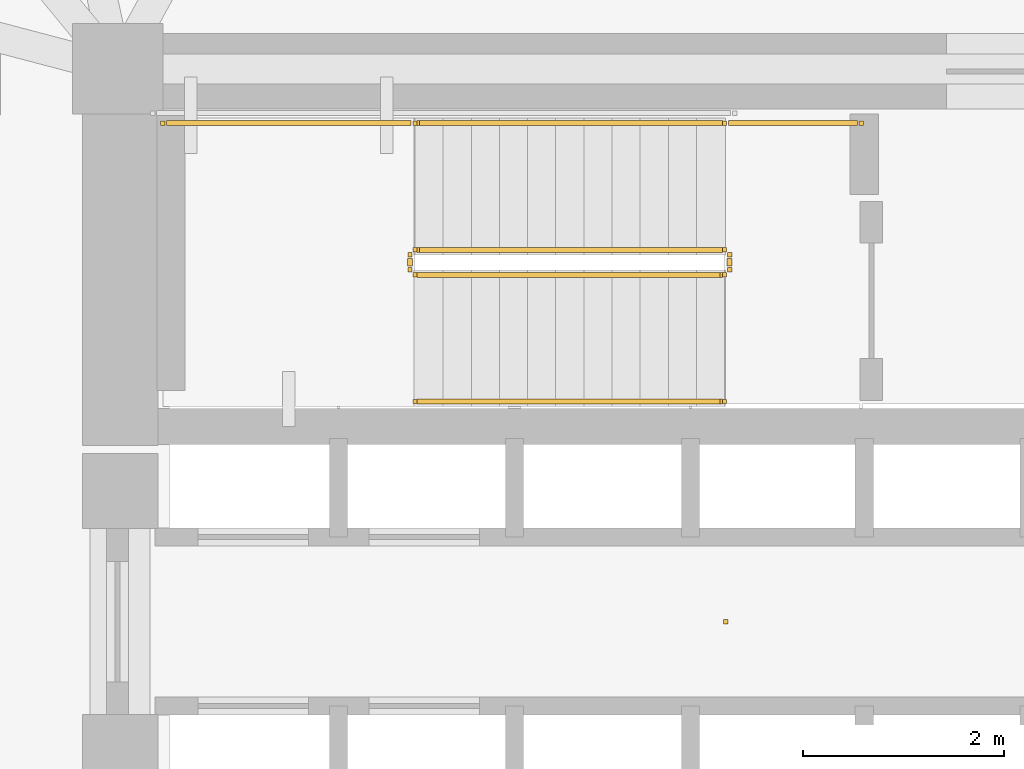
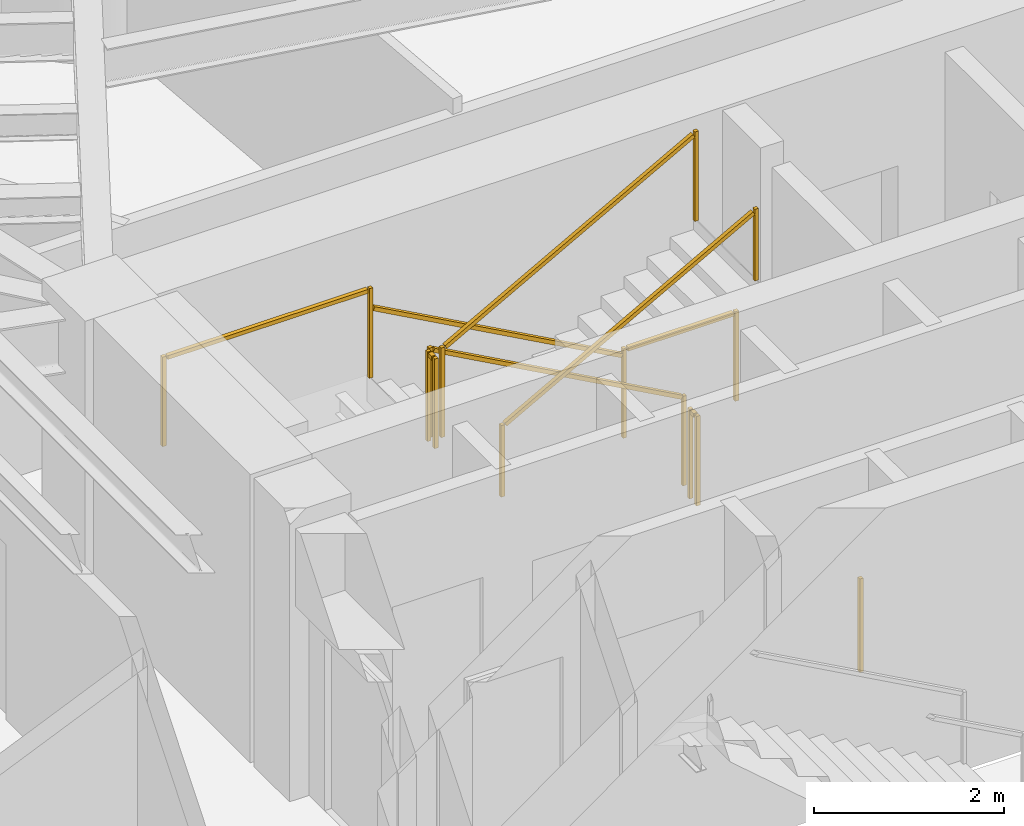
# One storey, part 9 of 10: 9 railings.
"""IFC4 building model written with IfcOpenShell, lengths in metres."""

from ifc_helpers import new_model, si_unit, direction, frame, origin, origin_2d, place, context, subcontext, project, spatial, rectangle, extrude, material, type_object, element, save


model = new_model("IFC4")

# Units and contexts
model_context = context("Model", 3, precision=1e-05, world=origin(), true_north=direction((0.0, 1.0)))
body_context = subcontext(model_context, "Body", "Model", "MODEL_VIEW")
ifc_project = project(units=[si_unit("LENGTHUNIT", "METRE"), si_unit("AREAUNIT", "SQUARE_METRE"), si_unit("VOLUMEUNIT", "CUBIC_METRE"), si_unit("PLANEANGLEUNIT", "RADIAN"), si_unit("MASSUNIT", "GRAM", prefix="KILO")], contexts=[model_context])

# Site, building, storey
site_placement = place(None, origin())
site = spatial("IfcSite", under=ifc_project, at=site_placement, CompositionType="ELEMENT")
building_placement = place(site_placement, origin())
building = spatial("IfcBuilding", under=site, at=building_placement, Name="Yunling Apex Tower", CompositionType="ELEMENT")
storey_placement = place(building_placement, frame((0.0, 0.0, 46.0)))
storey = spatial("IfcBuildingStorey", under=building, at=storey_placement, Name="L13", CompositionType="ELEMENT", Elevation=46.0)

# Railings
ifc_material_1 = material(Name="Bronze anodised aluminium", Category="aluminium")
railing_type_1 = type_object("IfcRailingType", Name="RL-BAL-1200", PredefinedType="BALUSTRADE", material=ifc_material_1)
railing_1_placement = place(storey_placement, origin())
element("IfcRailing", 1, at=railing_1_placement, inside=storey, type_object=railing_type_1, Name="RL-TATR-L13", PredefinedType="BALUSTRADE", context=body_context, shape_type="SweptSolid", body=[
    extrude(rectangle(XDim=0.0439453125, YDim=0.0439453125, at=origin_2d()), origin(), (0.0, 0.0, 1.0), 1.199951171875),
])
ifc_material_2 = material(Name="Steel Q355B", Category="steel")
railing_type_2 = type_object("IfcRailingType", Name="RL-GRD-1150", PredefinedType="GUARDRAIL", material=ifc_material_2)
railing_2_placement = place(storey_placement, frame((-0.010009765625, 3.699951171875, 0.154052734375)))
element("IfcRailing", 2, at=railing_2_placement, inside=storey, type_object=railing_type_2, Name="L13 ST-1 stair guard 1", PredefinedType="GUARDRAIL", context=body_context, shape_type="SweptSolid", body=[
    extrude(rectangle(XDim=0.0439453125, YDim=0.0439453125, at=origin_2d()), origin(), (0.0, 0.0, 1.0), 1.14990234375),
    extrude(rectangle(XDim=0.0439453125, YDim=0.0439453125, at=origin_2d()), frame((-3.080078125, 0.0, 1.696044921875)), (0.0, 0.0, 1.0), 1.14990234375),
    extrude(rectangle(XDim=0.050048828125, YDim=0.050048828125, at=origin_2d()), frame((-0.03369140625, 0.0, 1.143310546875), z_axis=(-0.875975380505, 0.0, 0.482355815502), x_axis=(0.0, -1.0, 0.0)), (0.0, 0.0, 1.0), 3.439453125),
])
railing_3_placement = place(storey_placement, frame((-3.139892578125, 3.64990234375, 1.85009765625)))
element("IfcRailing", 3, at=railing_3_placement, inside=storey, type_object=railing_type_2, Name="L13 ST-1 stair guard 2", PredefinedType="GUARDRAIL", context=body_context, shape_type="SweptSolid", body=[
    extrude(rectangle(XDim=0.0439453125, YDim=0.0439453125, at=origin_2d()), origin(), (0.0, 0.0, 1.0), 1.14990234375),
    extrude(rectangle(XDim=0.0439453125, YDim=0.0439453125, at=origin_2d()), frame((0.0, -0.14990234375, 0.0)), (0.0, 0.0, 1.0), 1.14990234375),
    extrude(rectangle(XDim=0.050048828125, YDim=0.050048828125, at=origin_2d()), frame((0.0, -0.038330078125, 1.125), z_axis=(0.0, -1.0, 0.0), x_axis=(1.0, 0.0, 0.0)), (0.0, 0.0, 1.0), 0.0732421875),
])
railing_4_placement = place(storey_placement, frame((-3.090087890625, 4.9599609375, 1.85009765625)))
element("IfcRailing", 4, at=railing_4_placement, inside=storey, type_object=railing_type_2, Name="L13 ST-1 stair guard 3", PredefinedType="GUARDRAIL", context=body_context, shape_type="SweptSolid", body=[
    extrude(rectangle(XDim=0.0439453125, YDim=0.0439453125, at=origin_2d()), origin(), (0.0, 0.0, 1.0), 1.14990234375),
    extrude(rectangle(XDim=0.0439453125, YDim=0.0439453125, at=origin_2d()), frame((-2.510009765625, 0.0, 0.0)), (0.0, 0.0, 1.0), 1.14990234375),
    extrude(rectangle(XDim=0.050048828125, YDim=0.050048828125, at=origin_2d()), frame((-0.038330078125, 0.0, 1.125), z_axis=(-1.0, 0.0, 0.0), x_axis=(0.0, -1.0, 0.0)), (0.0, 0.0, 1.0), 2.433349609375),
])
railing_5_placement = place(storey_placement, frame((-3.090087890625, 3.449951171875, 2.004150390625)))
element("IfcRailing", 5, at=railing_5_placement, inside=storey, type_object=railing_type_2, Name="L13 ST-1 stair guard 4", PredefinedType="GUARDRAIL", context=body_context, shape_type="SweptSolid", body=[
    extrude(rectangle(XDim=0.0439453125, YDim=0.0439453125, at=origin_2d()), origin(), (0.0, 0.0, 1.0), 1.14990234375),
    extrude(rectangle(XDim=0.0439453125, YDim=0.0439453125, at=origin_2d()), frame((3.080078125, 0.0, 1.69580078125)), (0.0, 0.0, 1.0), 1.14990234375),
    extrude(rectangle(XDim=0.050048828125, YDim=0.050048828125, at=origin_2d()), frame((0.03369140625, 0.0, 1.143310546875), z_axis=(0.876004717809, 0.0, 0.482302534076), x_axis=(0.0, 1.0, 0.0)), (0.0, 0.0, 1.0), 3.439453125),
])
railing_6_placement = place(storey_placement, frame((0.0400390625, 3.64990234375, 0.0)))
element("IfcRailing", 6, at=railing_6_placement, inside=storey, type_object=railing_type_2, Name="L13 ST-1 stair guard 5", PredefinedType="GUARDRAIL", context=body_context, shape_type="SweptSolid", body=[
    extrude(rectangle(XDim=0.0439453125, YDim=0.0439453125, at=origin_2d()), origin(), (0.0, 0.0, 1.0), 1.14990234375),
    extrude(rectangle(XDim=0.0439453125, YDim=0.0439453125, at=origin_2d()), frame((0.0, -0.14990234375, 0.0)), (0.0, 0.0, 1.0), 1.14990234375),
    extrude(rectangle(XDim=0.050048828125, YDim=0.050048828125, at=origin_2d()), frame((0.0, -0.038330078125, 1.125), z_axis=(0.0, -1.0, 0.0), x_axis=(1.0, 0.0, 0.0)), (0.0, 0.0, 1.0), 0.0732421875),
])
railing_7_placement = place(storey_placement, frame((1.35009765625, 4.9599609375, 0.0)))
element("IfcRailing", 7, at=railing_7_placement, inside=storey, type_object=railing_type_2, Name="L13 ST-1 stair guard 6", PredefinedType="GUARDRAIL", context=body_context, shape_type="SweptSolid", body=[
    extrude(rectangle(XDim=0.0439453125, YDim=0.0439453125, at=origin_2d()), origin(), (0.0, 0.0, 1.0), 1.14990234375),
    extrude(rectangle(XDim=0.0439453125, YDim=0.0439453125, at=origin_2d()), frame((-1.360107421875, 0.0, 0.0)), (0.0, 0.0, 1.0), 1.14990234375),
    extrude(rectangle(XDim=0.050048828125, YDim=0.050048828125, at=origin_2d()), frame((-0.038330078125, 0.0, 1.125), z_axis=(-1.0, 0.0, 0.0), x_axis=(0.0, -1.0, 0.0)), (0.0, 0.0, 1.0), 1.283447265625),
])
ifc_material_3 = material(Name="Silver anodised aluminium", Category="aluminium")
railing_type_3 = type_object("IfcRailingType", Name="RL-HND-900", PredefinedType="HANDRAIL", material=ifc_material_3)
railing_8_placement = place(storey_placement, frame((-0.010009765625, 4.9599609375, 0.154052734375)))
element("IfcRailing", 8, at=railing_8_placement, inside=storey, type_object=railing_type_3, Name="L13 ST-1 stair handrail 1", PredefinedType="HANDRAIL", context=body_context, shape_type="SweptSolid", body=[
    extrude(rectangle(XDim=0.0439453125, YDim=0.0439453125, at=origin_2d()), origin(), (0.0, 0.0, 1.0), 0.919921875),
    extrude(rectangle(XDim=0.0439453125, YDim=0.0439453125, at=origin_2d()), frame((-3.080078125, 0.0, 1.696044921875)), (0.0, 0.0, 1.0), 0.919921875),
    extrude(rectangle(XDim=0.050048828125, YDim=0.050048828125, at=origin_2d()), frame((-0.03369140625, 0.0, 0.913330078125), z_axis=(-0.875975380505, 0.0, 0.482355815502), x_axis=(0.0, -1.0, 0.0)), (0.0, 0.0, 1.0), 3.439453125),
])
railing_9_placement = place(storey_placement, frame((-3.090087890625, 2.18994140625, 2.004150390625)))
element("IfcRailing", 9, at=railing_9_placement, inside=storey, type_object=railing_type_3, Name="L13 ST-1 stair handrail 2", PredefinedType="HANDRAIL", context=body_context, shape_type="SweptSolid", body=[
    extrude(rectangle(XDim=0.0439453125, YDim=0.0439453125, at=origin_2d()), origin(), (0.0, 0.0, 1.0), 0.919921875),
    extrude(rectangle(XDim=0.0439453125, YDim=0.0439453125, at=origin_2d()), frame((3.080078125, 0.0, 1.69580078125)), (0.0, 0.0, 1.0), 0.919921875),
    extrude(rectangle(XDim=0.050048828125, YDim=0.050048828125, at=origin_2d()), frame((0.03369140625, 0.0, 0.913330078125), z_axis=(0.876004717809, 0.0, 0.482302534076), x_axis=(0.0, 1.0, 0.0)), (0.0, 0.0, 1.0), 3.439453125),
])

save(model, "model.ifc")
